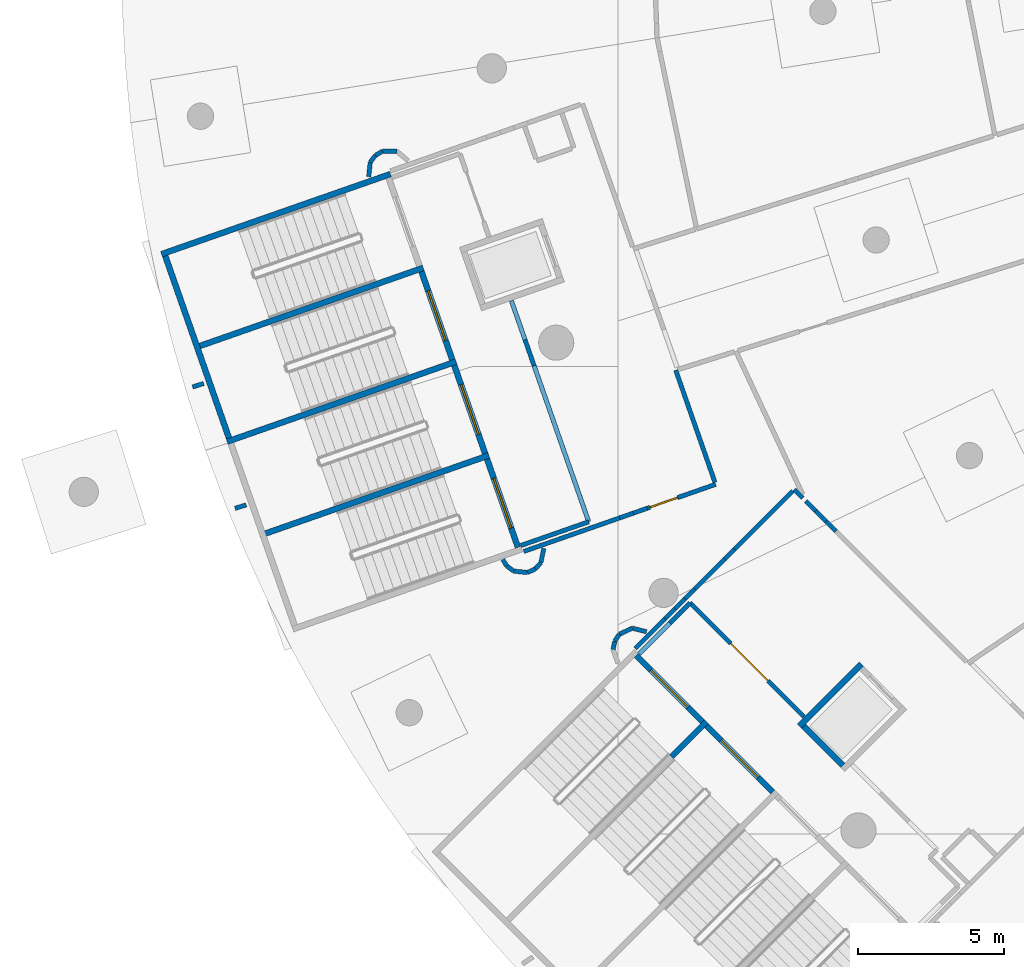
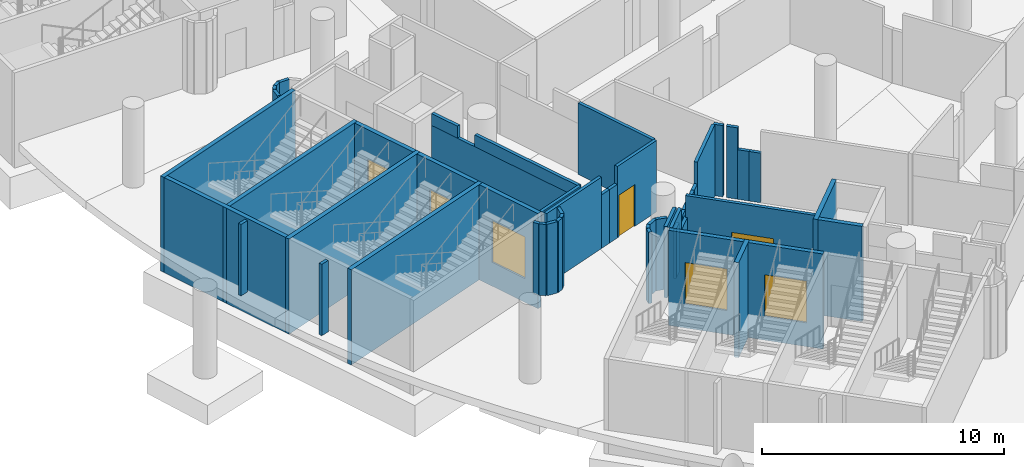
# One storey, part 36 of 142: 52 walls, 7 doors, 7 openings.
"""IFC4 building model written with IfcOpenShell, lengths in metres."""

import ifcopenshell
import ifcopenshell.guid

model = None  # the IFC model being written
_history = None  # IfcOwnerHistory: only IFC2X3 demands one
_inside = {}  # id of a spatial element -> (the spatial element, [elements in it])
_under = {}  # id of a project, library or spatial element -> (it, [spatial elements below it])
_declared = {}  # id of a project -> (the project, [libraries it declares])
_typed = {}  # id of a type object -> (the type object, [elements of that type])
_made_of = {}  # id of a material, layer set ... -> (it, [elements and type objects made of it])


def new_model(schema):
    """Start an empty IFC model of exactly this schema.

    Asked for "IFC4X3", IfcOpenShell would pick the latest addendum, in which some entities
    have other attributes; the version numbers below select the first issue.
    IFC2X3 requires an IfcOwnerHistory on every rooted entity: one is made here for all.
    """
    global model, _history
    if schema == "IFC4X3":
        model = ifcopenshell.file(schema_version=(4, 3, 0, 0))
    else:
        model = ifcopenshell.file(schema=schema)
    _inside.clear()
    _under.clear()
    _declared.clear()
    _typed.clear()
    _made_of.clear()
    _history = None
    if model.schema == "IFC2X3":
        org = make("IfcOrganization", Name="unknown")
        user = make(
            "IfcPersonAndOrganization",
            ThePerson=make("IfcPerson", FamilyName="unknown"),
            TheOrganization=org,
        )
        app = make(
            "IfcApplication",
            ApplicationDeveloper=org,
            Version="unknown",
            ApplicationFullName="unknown",
            ApplicationIdentifier="unknown",
        )
        _history = make(
            "IfcOwnerHistory",
            OwningUser=user,
            OwningApplication=app,
            ChangeAction="ADDED",
            CreationDate=0,
        )
    return model


def make(cls, **values):
    """One entity of the class cls with the attributes given. An attribute that is None is left unset."""
    return model.create_entity(
        cls, **{name: value for name, value in values.items() if value is not None}
    )


def rooted(cls, **values):
    """An entity with a GlobalId (a new one), such as an element, a storey or a relation."""
    return make(cls, GlobalId=ifcopenshell.guid.new(), OwnerHistory=_history, **values)


def si_unit(unit_type, name, prefix=None):
    """IfcSIUnit, for example si_unit("LENGTHUNIT", "METRE", prefix="MILLI")."""
    return make("IfcSIUnit", UnitType=unit_type, Prefix=prefix, Name=name)


def assignment(units):
    """IfcUnitAssignment: the units of a project."""
    return None if units is None else make("IfcUnitAssignment", Units=units)


def point(xyz):
    """IfcCartesianPoint."""
    return None if xyz is None else make("IfcCartesianPoint", Coordinates=xyz)


def direction(xyz):
    """IfcDirection."""
    return None if xyz is None else make("IfcDirection", DirectionRatios=xyz)


def frame(location, z_axis=None, x_axis=None):
    """IfcAxis2Placement3D, a coordinate frame: its origin and axes. An axis left out is left unset."""
    return make(
        "IfcAxis2Placement3D",
        Location=point(location),
        Axis=direction(z_axis),
        RefDirection=direction(x_axis),
    )


def frame_2d(location, x_axis=None):
    """IfcAxis2Placement2D, a coordinate frame in the plane: its origin and x axis."""
    return make(
        "IfcAxis2Placement2D", Location=point(location), RefDirection=direction(x_axis)
    )


def origin():
    """The frame at (0, 0, 0) with its axes left unset."""
    return frame((0.0, 0.0, 0.0))


def place(relative_to, where):
    """IfcLocalPlacement: puts the frame where relative to a parent placement (None: the world)."""
    return make(
        "IfcLocalPlacement", PlacementRelTo=relative_to, RelativePlacement=where
    )


def context(
    kind, dimensions, precision=None, world=None, true_north=None, identifier=None
):
    """IfcGeometricRepresentationContext, for example the 3D "Model" context."""
    return make(
        "IfcGeometricRepresentationContext",
        ContextIdentifier=identifier,
        ContextType=kind,
        CoordinateSpaceDimension=dimensions,
        Precision=precision,
        WorldCoordinateSystem=world,
        TrueNorth=true_north,
    )


def subcontext(parent, identifier, kind, view, scale=None):
    """IfcGeometricRepresentationSubContext, for example "Body" below "Model"."""
    return make(
        "IfcGeometricRepresentationSubContext",
        ContextIdentifier=identifier,
        ContextType=kind,
        ParentContext=parent,
        TargetScale=scale,
        TargetView=view,
    )


def project(units=None, contexts=None):
    """IfcProject with its units and contexts."""
    return rooted(
        "IfcProject",
        Name="project",
        RepresentationContexts=contexts,
        UnitsInContext=assignment(units),
    )


def spatial(cls, under=None, at=None, **own):
    """A site, building, storey or space (cls), placed at a placement, below another one or the project."""
    s = rooted(cls, ObjectPlacement=at, **own)
    if under is not None:
        _under.setdefault(under.id(), (under, []))[1].append(s)
    return s


def profile(cls, at=None, kind="AREA", **sizes):
    """A parametric profile (cls). Its sizes go by their IFC names, for example OverallWidth=200.0."""
    return make(cls, ProfileType=kind, Position=at, **sizes)


def rectangle(**sizes):
    """IfcRectangleProfileDef."""
    return profile("IfcRectangleProfileDef", **sizes)


def extrude(swept, where, along, depth):
    """IfcExtrudedAreaSolid: the profile swept, set in the frame where, extruded along a direction by depth."""
    return make(
        "IfcExtrudedAreaSolid",
        SweptArea=swept,
        Position=where,
        ExtrudedDirection=direction(along),
        Depth=depth,
    )


def shape(context_of_items, identifier, shape_type, items):
    """IfcShapeRepresentation: the items that make up one representation, for example the "Body"."""
    return make(
        "IfcShapeRepresentation",
        ContextOfItems=context_of_items,
        RepresentationIdentifier=identifier,
        RepresentationType=shape_type,
        Items=items,
    )


def material(Name=None, Category=None):
    """IfcMaterial."""
    return make("IfcMaterial", Name=Name, Category=Category)


def layer(
    of_material, thickness, ventilated=None, Name=None, Category=None, Priority=None
):
    """IfcMaterialLayer: one layer of a wall or slab, of a material (None: an air gap)."""
    return make(
        "IfcMaterialLayer",
        Material=of_material,
        LayerThickness=thickness,
        IsVentilated=ventilated,
        Name=Name,
        Category=Category,
        Priority=Priority,
    )


def layer_set(layers, Name=None):
    """IfcMaterialLayerSet."""
    return make("IfcMaterialLayerSet", MaterialLayers=layers, LayerSetName=Name)


def made_of(thing, what):
    """Note that an element or type object is made of a material, layer set ...; save() writes the relation."""
    if what is not None:
        _made_of.setdefault(what.id(), (what, []))[1].append(thing)
    return thing


def type_object(cls, material=None, **own):
    """A type object (cls), such as IfcWallType, which elements share."""
    return made_of(rooted(cls, **own), material)


def element(
    cls,
    number,
    at=None,
    inside=None,
    cuts=None,
    type_object=None,
    material=None,
    context=None,
    identifier="Body",
    shape_type=None,
    held_by="IfcProductDefinitionShape",
    body=None,
    shapes=None,
    **own,
):
    """One element of the class cls, such as IfcWall. Its Tag is "e" and its number.

    at: its placement. inside: the storey or other place that contains it. cuts: it is an
    opening in that element (IfcRelVoidsElement). A single representation is given by context,
    identifier, shape_type and body (its items); several are given by shapes. held_by: the class
    of the entity that holds the representations. save() writes the other relations.
    """
    e = rooted(cls, Tag="e%d" % number, ObjectPlacement=at, **own)
    if body is not None:
        shapes = [shape(context, identifier, shape_type, body)]
    if shapes is not None:
        e.Representation = make(held_by, Representations=shapes)
    if inside is not None:
        _inside.setdefault(inside.id(), (inside, []))[1].append(e)
    if cuts is not None:
        rooted(
            "IfcRelVoidsElement", RelatingBuildingElement=cuts, RelatedOpeningElement=e
        )
    if type_object is not None:
        _typed.setdefault(type_object.id(), (type_object, []))[1].append(e)
    return made_of(e, material)


def fill(opening, filler):
    """IfcRelFillsElement: the door or window that sits in an opening."""
    return rooted(
        "IfcRelFillsElement",
        RelatingOpeningElement=opening,
        RelatedBuildingElement=filler,
    )


def aggregate(whole, parts):
    """IfcRelAggregates: a whole, such as a stair, and the parts it consists of."""
    return rooted("IfcRelAggregates", RelatingObject=whole, RelatedObjects=parts)


def save(model, path):
    """Write the relations noted so far, then the file.

    IfcRelAggregates (storeys below a building ...), IfcRelContainedInSpatialStructure (elements
    in a storey), IfcRelDefinesByType, IfcRelAssociatesMaterial and IfcRelDeclares: one each for
    every whole, place, type object, material and project.
    """
    for whole, parts in _under.values():
        aggregate(whole, parts)
    for where, things in _inside.values():
        rooted(
            "IfcRelContainedInSpatialStructure",
            RelatedElements=things,
            RelatingStructure=where,
        )
    for kind, things in _typed.values():
        rooted("IfcRelDefinesByType", RelatedObjects=things, RelatingType=kind)
    for what, things in _made_of.values():
        rooted("IfcRelAssociatesMaterial", RelatedObjects=things, RelatingMaterial=what)
    for by, libraries in _declared.values():
        rooted("IfcRelDeclares", RelatingContext=by, RelatedDefinitions=libraries)
    model.write(path)


model = new_model("IFC4")

# Units and contexts
model_context = context("Model", 3, precision=1e-05, world=origin(), true_north=direction((0.0, 1.0)))
body_context = subcontext(model_context, "Body", "Model", "MODEL_VIEW")
ifc_project = project(units=[si_unit("LENGTHUNIT", "METRE"), si_unit("AREAUNIT", "SQUARE_METRE"), si_unit("VOLUMEUNIT", "CUBIC_METRE"), si_unit("PLANEANGLEUNIT", "RADIAN"), si_unit("MASSUNIT", "GRAM", prefix="KILO")], contexts=[model_context])

# Site, building, storey
site_placement = place(None, origin())
site = spatial("IfcSite", under=ifc_project, at=site_placement, CompositionType="ELEMENT")
building_placement = place(site_placement, origin())
building = spatial("IfcBuilding", under=site, at=building_placement, Name="Meseta Stadium", CompositionType="ELEMENT")
storey_placement = place(building_placement, frame((0.0, 0.0, -4.0)))
storey = spatial("IfcBuildingStorey", under=building, at=storey_placement, Name="B1", CompositionType="ELEMENT", Elevation=-4.0)

# Walls
ifc_material_1 = material(Name="Concrete C40/50", Category="concrete")
ifc_layer_1 = layer(ifc_material_1, 0.199951171875)
ifc_layer_set_1 = layer_set([ifc_layer_1], Name="Core divider wall 200")
wall_type_1 = type_object("IfcWallType", Name="Core divider wall 200", PredefinedType="SHEAR", material=ifc_layer_set_1)
for number, where, z_axis, x_axis, name in (
    (1, (-94.505859375, -63.370849609375, -1.199951171875), (0.0, 0.0, 1.0), (0.943878073457, 0.330294084791, 0.0), "Core 20 B1 stair A divider wall"),
    (2, (-92.260009765625, -69.789306640625, -1.199951171875), (0.0, 0.0, 1.0), (0.943878073457, 0.330294084791, 0.0), "Core 20 B1 stair B divider wall"),
):
    element("IfcWall", number, at=place(storey_placement, frame(where, z_axis=z_axis, x_axis=x_axis)), inside=storey, type_object=wall_type_1, Name=name, PredefinedType="SHEAR", context=body_context, shape_type="SweptSolid", body=[
        extrude(rectangle(XDim=8.300048828125, YDim=0.199951171875, at=frame_2d((4.14990234375, 0.0))), origin(), (0.0, 0.0, 1.0), 4.800048828125),
    ])
wall_1_placement = place(storey_placement, frame((-78.17333984375, -77.364990234375, -1.199951171875), z_axis=(0.0, 0.0, 1.0), x_axis=(0.707178586901, 0.707034968179, 0.0)))
element("IfcWall", 3, at=wall_1_placement, inside=storey, type_object=wall_type_1, Name="Core 21 B1 stair A divider wall", PredefinedType="SHEAR", context=body_context, shape_type="SweptSolid", body=[
    extrude(rectangle(XDim=1.699951171875, YDim=0.199951171875, at=frame_2d((0.85009765625, 0.0))), origin(), (0.0, 0.0, 1.0), 4.800048828125),
])
ifc_material_2 = material(Name="Concrete C40/50", Category="concrete")
ifc_layer_2 = layer(ifc_material_2, 0.199951171875)
ifc_layer_set_2 = layer_set([ifc_layer_2], Name="Core shaft wall 200")
wall_type_2 = type_object("IfcWallType", Name="Core shaft wall 200", PredefinedType="SHEAR", material=ifc_layer_set_2)
for number, where, z_axis, x_axis, name in (
    (4, (-95.62890625, -60.16162109375, -1.199951171875), (0.0, 0.0, 1.0), (0.943887243331, 0.330267878966, 0.0), "Core 20 B1 stair wall A-side"),
    (5, (-93.3828125, -66.580078125, -1.199951171875), (0.0, 0.0, 1.0), (0.943878073457, 0.330294084791, 0.0), "Core 20 B1 stair wall shared"),
):
    element("IfcWall", number, at=place(storey_placement, frame(where, z_axis=z_axis, x_axis=x_axis)), inside=storey, type_object=wall_type_2, Name=name, PredefinedType="SHEAR", context=body_context, shape_type="SweptSolid", body=[
        extrude(rectangle(XDim=8.300048828125, YDim=0.199951171875, at=frame_2d((4.14990234375, 0.0))), origin(), (0.0, 0.0, 1.0), 4.800048828125),
    ])
wall_2_placement = place(storey_placement, frame((-95.50146484375, -60.222900390625, -1.199951171875), z_axis=(0.0, 0.0, 1.0), x_axis=(0.330286164688, -0.943880844925, 0.0)))
element("IfcWall", 6, at=wall_2_placement, inside=storey, type_object=wall_type_2, Name="Core 20 B1 stair A outer end wall", PredefinedType="SHEAR", context=body_context, shape_type="SweptSolid", body=[
    extrude(rectangle(XDim=6.60009765625, YDim=0.199951171875, at=frame_2d((3.300048828125, 0.0))), origin(), (0.0, 0.0, 1.0), 4.800048828125),
])

# Wall, opening, door
wall_3_placement = place(storey_placement, frame((-86.73291015625, -60.7568359375, -1.199951171875), z_axis=(0.0, 0.0, 1.0), x_axis=(0.330268863922, -0.943886898693, 0.0)))
wall_3 = element("IfcWall", 7, at=wall_3_placement, inside=storey, type_object=wall_type_2, Name="Core 20 B1 stair A2 inner end wall", PredefinedType="SHEAR", context=body_context, shape_type="SweptSolid", body=[
    extrude(rectangle(XDim=3.2001953125, YDim=0.199951171875, at=frame_2d((1.60009765625, 0.0))), origin(), (0.0, 0.0, 1.0), 4.800048828125),
])
opening_1_placement = place(wall_3_placement, frame((0.699951171875, 0.0, 1.199951171875)))
opening_1 = element("IfcOpeningElement", 8, at=opening_1_placement, cuts=wall_3, Name="Opening D270", PredefinedType="OPENING", context=body_context, shape_type="SweptSolid", body=[
    extrude(rectangle(XDim=1.800048828125, YDim=2.10009765625, at=frame_2d((0.89990234375, 1.050048828125))), frame((0.0, 0.10986328125, 0.0), z_axis=(0.0, -1.0, 0.0), x_axis=(1.0, 0.0, 0.0)), (0.0, 0.0, 1.0), 0.219970703125),
])
ifc_material_3 = material(Name="Steel", Category="steel")
door_type_1 = type_object("IfcDoorType", Name="Stair door 1800x2100", OperationType="DOUBLE_DOOR_SINGLE_SWING", PredefinedType="DOOR", material=ifc_material_3)
door_1_placement = place(opening_1_placement, origin())
door_1 = element("IfcDoor", 9, at=door_1_placement, inside=storey, type_object=door_type_1, Name="Stair A2 door 20 B1", OperationType="DOUBLE_DOOR_SINGLE_SWING", OverallHeight=2.10009765625, OverallWidth=1.800048828125, PredefinedType="DOOR", context=body_context, shape_type="SweptSolid", body=[
    extrude(rectangle(XDim=1.800048828125, YDim=2.10009765625, at=frame_2d((0.89990234375, 1.050048828125))), frame((0.0, 0.02490234375, 0.0), z_axis=(0.0, -1.0, 0.0), x_axis=(1.0, 0.0, 0.0)), (0.0, 0.0, 1.0), 0.050048828125),
])
fill(opening_1, door_1)

wall_4_placement = place(storey_placement, frame((-85.610107421875, -63.966064453125, -1.199951171875), z_axis=(0.0, 0.0, 1.0), x_axis=(0.330268863922, -0.943886898693, 0.0)))
wall_4 = element("IfcWall", 10, at=wall_4_placement, inside=storey, type_object=wall_type_2, Name="Core 20 B1 stair B1 inner end wall", PredefinedType="SHEAR", context=body_context, shape_type="SweptSolid", body=[
    extrude(rectangle(XDim=3.2001953125, YDim=0.199951171875, at=frame_2d((1.60009765625, 0.0))), origin(), (0.0, 0.0, 1.0), 4.800048828125),
])
opening_2_placement = place(wall_4_placement, frame((0.699951171875, 0.0, 1.199951171875)))
opening_2 = element("IfcOpeningElement", 11, at=opening_2_placement, cuts=wall_4, Name="Opening D271", PredefinedType="OPENING", context=body_context, shape_type="SweptSolid", body=[
    extrude(rectangle(XDim=1.800048828125, YDim=2.10009765625, at=frame_2d((0.89990234375, 1.050048828125))), frame((0.0, 0.10986328125, 0.0), z_axis=(0.0, -1.0, 0.0), x_axis=(1.0, 0.0, 0.0)), (0.0, 0.0, 1.0), 0.219970703125),
])
door_2_placement = place(opening_2_placement, origin())
door_2 = element("IfcDoor", 12, at=door_2_placement, inside=storey, type_object=door_type_1, Name="Stair B1 door 20 B1", OperationType="DOUBLE_DOOR_SINGLE_SWING", OverallHeight=2.10009765625, OverallWidth=1.800048828125, PredefinedType="DOOR", context=body_context, shape_type="SweptSolid", body=[
    extrude(rectangle(XDim=1.800048828125, YDim=2.10009765625, at=frame_2d((0.89990234375, 1.050048828125))), frame((0.0, 0.02490234375, 0.0), z_axis=(0.0, -1.0, 0.0), x_axis=(1.0, 0.0, 0.0)), (0.0, 0.0, 1.0), 0.050048828125),
])
fill(opening_2, door_2)

wall_5_placement = place(storey_placement, frame((-84.487060546875, -67.17529296875, -1.199951171875), z_axis=(0.0, 0.0, 1.0), x_axis=(0.330268863922, -0.943886898693, 0.0)))
wall_5 = element("IfcWall", 13, at=wall_5_placement, inside=storey, type_object=wall_type_2, Name="Core 20 B1 stair B2 inner end wall", PredefinedType="SHEAR", context=body_context, shape_type="SweptSolid", body=[
    extrude(rectangle(XDim=3.2001953125, YDim=0.199951171875, at=frame_2d((1.60009765625, 0.0))), origin(), (0.0, 0.0, 1.0), 4.800048828125),
])
opening_3_placement = place(wall_5_placement, frame((0.699951171875, 0.0, 1.199951171875)))
opening_3 = element("IfcOpeningElement", 14, at=opening_3_placement, cuts=wall_5, Name="Opening D272", PredefinedType="OPENING", context=body_context, shape_type="SweptSolid", body=[
    extrude(rectangle(XDim=1.800048828125, YDim=2.10009765625, at=frame_2d((0.89990234375, 1.050048828125))), frame((0.0, 0.10986328125, 0.0), z_axis=(0.0, -1.0, 0.0), x_axis=(1.0, 0.0, 0.0)), (0.0, 0.0, 1.0), 0.219970703125),
])
door_3_placement = place(opening_3_placement, origin())
door_3 = element("IfcDoor", 15, at=door_3_placement, inside=storey, type_object=door_type_1, Name="Stair B2 door 20 B1", OperationType="DOUBLE_DOOR_SINGLE_SWING", OverallHeight=2.10009765625, OverallWidth=1.800048828125, PredefinedType="DOOR", context=body_context, shape_type="SweptSolid", body=[
    extrude(rectangle(XDim=1.800048828125, YDim=2.10009765625, at=frame_2d((0.89990234375, 1.050048828125))), frame((0.0, 0.02490234375, 0.0), z_axis=(0.0, -1.0, 0.0), x_axis=(1.0, 0.0, 0.0)), (0.0, 0.0, 1.0), 0.050048828125),
])
fill(opening_3, door_3)

wall_6_placement = place(storey_placement, frame((-79.37548828125, -73.900146484375, -1.199951171875), z_axis=(0.0, 0.0, 1.0), x_axis=(0.707068634461, -0.707144925854, 0.0)))
wall_6 = element("IfcWall", 16, at=wall_6_placement, inside=storey, type_object=wall_type_2, Name="Core 21 B1 stair A1 inner end wall", PredefinedType="SHEAR", context=body_context, shape_type="SweptSolid", body=[
    extrude(rectangle(XDim=3.2001953125, YDim=0.199951171875, at=frame_2d((1.60009765625, 0.0))), origin(), (0.0, 0.0, 1.0), 4.800048828125),
])
opening_4_placement = place(wall_6_placement, frame((0.699951171875, 0.0, 1.199951171875)))
opening_4 = element("IfcOpeningElement", 17, at=opening_4_placement, cuts=wall_6, Name="Opening D281", PredefinedType="OPENING", context=body_context, shape_type="SweptSolid", body=[
    extrude(rectangle(XDim=1.800048828125, YDim=2.10009765625, at=frame_2d((0.89990234375, 1.050048828125))), frame((0.0, 0.10986328125, 0.0), z_axis=(0.0, -1.0, 0.0), x_axis=(1.0, 0.0, 0.0)), (0.0, 0.0, 1.0), 0.219970703125),
])
door_4_placement = place(opening_4_placement, origin())
door_4 = element("IfcDoor", 18, at=door_4_placement, inside=storey, type_object=door_type_1, Name="Stair A1 door 21 B1", OperationType="DOUBLE_DOOR_SINGLE_SWING", OverallHeight=2.10009765625, OverallWidth=1.800048828125, PredefinedType="DOOR", context=body_context, shape_type="SweptSolid", body=[
    extrude(rectangle(XDim=1.800048828125, YDim=2.10009765625, at=frame_2d((0.89990234375, 1.050048828125))), frame((0.0, 0.02490234375, 0.0), z_axis=(0.0, -1.0, 0.0), x_axis=(1.0, 0.0, 0.0)), (0.0, 0.0, 1.0), 0.050048828125),
])
fill(opening_4, door_4)

wall_7_placement = place(storey_placement, frame((-76.97119140625, -76.304443359375, -1.199951171875), z_axis=(0.0, 0.0, 1.0), x_axis=(0.707106781187, -0.707106781187, 0.0)))
wall_7 = element("IfcWall", 19, at=wall_7_placement, inside=storey, type_object=wall_type_2, Name="Core 21 B1 stair A2 inner end wall", PredefinedType="SHEAR", context=body_context, shape_type="SweptSolid", body=[
    extrude(rectangle(XDim=3.199951171875, YDim=0.199951171875, at=frame_2d((1.60009765625, 0.0))), origin(), (0.0, 0.0, 1.0), 4.800048828125),
])
opening_5_placement = place(wall_7_placement, frame((0.699951171875, 0.0, 1.199951171875)))
opening_5 = element("IfcOpeningElement", 20, at=opening_5_placement, cuts=wall_7, Name="Opening D282", PredefinedType="OPENING", context=body_context, shape_type="SweptSolid", body=[
    extrude(rectangle(XDim=1.800048828125, YDim=2.10009765625, at=frame_2d((0.89990234375, 1.050048828125))), frame((0.0, 0.10986328125, 0.0), z_axis=(0.0, -1.0, 0.0), x_axis=(1.0, 0.0, 0.0)), (0.0, 0.0, 1.0), 0.219970703125),
])
door_5_placement = place(opening_5_placement, origin())
door_5 = element("IfcDoor", 21, at=door_5_placement, inside=storey, type_object=door_type_1, Name="Stair A2 door 21 B1", OperationType="DOUBLE_DOOR_SINGLE_SWING", OverallHeight=2.10009765625, OverallWidth=1.800048828125, PredefinedType="DOOR", context=body_context, shape_type="SweptSolid", body=[
    extrude(rectangle(XDim=1.800048828125, YDim=2.10009765625, at=frame_2d((0.89990234375, 1.050048828125))), frame((0.0, 0.02490234375, 0.0), z_axis=(0.0, -1.0, 0.0), x_axis=(1.0, 0.0, 0.0)), (0.0, 0.0, 1.0), 0.050048828125),
])
fill(opening_5, door_5)

# Walls
wall_8_placement = place(storey_placement, frame((-73.796875, -76.311767578125, -1.199951171875), z_axis=(0.0, 0.0, 1.0), x_axis=(0.707106781187, 0.707106781187, 0.0)))
element("IfcWall", 22, at=wall_8_placement, inside=storey, type_object=wall_type_2, Name="Core 21 B1 lift shaft wall left", PredefinedType="SHEAR", context=body_context, shape_type="SweptSolid", body=[
    extrude(rectangle(XDim=3.0, YDim=0.199951171875, at=frame_2d((1.5, 0.0))), origin(), (0.0, 0.0, 1.0), 4.800048828125),
])
wall_9_placement = place(storey_placement, frame((-73.655517578125, -76.311767578125, -1.199951171875), z_axis=(0.0, 0.0, 1.0), x_axis=(0.707106781187, -0.707106781187, 0.0)))
element("IfcWall", 23, at=wall_9_placement, inside=storey, type_object=wall_type_2, Name="Core 21 B1 lift shaft back wall", PredefinedType="SHEAR", context=body_context, shape_type="SweptSolid", body=[
    extrude(rectangle(XDim=1.900390625, YDim=0.199951171875, at=frame_2d((0.9501953125, 0.0))), origin(), (0.0, 0.0, 1.0), 4.800048828125),
])
ifc_material_4 = material(Name="Masonry blockwork", Category="masonry")
ifc_layer_3 = layer(ifc_material_4, 0.14990234375)
ifc_layer_set_3 = layer_set([ifc_layer_3], Name="Partition 150")
wall_type_3 = type_object("IfcWallType", Name="Partition 150", PredefinedType="PARTITIONING", material=ifc_layer_set_3)
wall_10_placement = place(storey_placement, frame((-94.185791015625, -64.587890625, 0.0), z_axis=(0.0, 0.0, 1.0), x_axis=(-0.954208008675, -0.299143905471, 0.0)))
element("IfcWall", 24, at=wall_10_placement, inside=storey, type_object=wall_type_3, Name="Partition B1 B1-cell18-3-0", PredefinedType="PARTITIONING", context=body_context, shape_type="SweptSolid", body=[
    extrude(rectangle(XDim=0.39990234375, YDim=0.14990234375, at=frame_2d((0.199951171875, 0.0))), origin(), (0.0, 0.0, 1.0), 3.60009765625),
])
wall_11_placement = place(storey_placement, frame((-72.539306640625, -69.64990234375, 0.0), z_axis=(0.0, 0.0, 1.0), x_axis=(-0.706858193837, 0.707355281174, 0.0)))
element("IfcWall", 25, at=wall_11_placement, inside=storey, type_object=wall_type_3, Name="Partition B1 B1-cell19-2-0", PredefinedType="PARTITIONING", context=body_context, shape_type="SweptSolid", body=[
    extrude(rectangle(XDim=0.4912109375, YDim=0.14990234375, at=frame_2d((0.24560546875, 0.0))), origin(), (0.0, 0.0, 1.0), 2.5),
])
wall_12_placement = place(storey_placement, frame((-72.886474609375, -69.302490234375, 0.0), z_axis=(0.0, 0.0, 1.0), x_axis=(-0.707106781187, 0.707106781187, 0.0)))
element("IfcWall", 26, at=wall_12_placement, inside=storey, type_object=wall_type_3, Name="Partition B1 B1-cell19-2-0", PredefinedType="PARTITIONING", context=body_context, shape_type="SweptSolid", body=[
    extrude(rectangle(XDim=0.49072265625, YDim=0.14990234375, at=frame_2d((0.245361328125, 0.0))), origin(), (0.0, 0.0, 1.0), 2.5),
])
wall_13_placement = place(storey_placement, frame((-73.2333984375, -68.95556640625, 0.0), z_axis=(0.0, 0.0, 1.0), x_axis=(-0.707355281174, 0.706858193837, 0.0)))
element("IfcWall", 27, at=wall_13_placement, inside=storey, type_object=wall_type_3, Name="Partition B1 B1-cell19-2-0", PredefinedType="PARTITIONING", context=body_context, shape_type="SweptSolid", body=[
    extrude(rectangle(XDim=0.4912109375, YDim=0.14990234375, at=frame_2d((0.24560546875, 0.0))), origin(), (0.0, 0.0, 1.0), 3.60009765625),
])
wall_14_placement = place(storey_placement, frame((-93.110595703125, -68.862060546875, 0.0), z_axis=(0.0, 0.0, 1.0), x_axis=(0.954249797549, 0.29901057486, 0.0)))
element("IfcWall", 28, at=wall_14_placement, inside=storey, type_object=wall_type_3, Name="Partition B1 B1-cell19-3-0", PredefinedType="PARTITIONING", context=body_context, shape_type="SweptSolid", body=[
    extrude(rectangle(XDim=0.396728515625, YDim=0.14990234375, at=frame_2d((0.1982421875, 0.0))), origin(), (0.0, 0.0, 1.0), 3.60009765625),
])
wall_15_placement = place(storey_placement, frame((-83.23193359375, -70.33837890625, 0.0), z_axis=(0.0, 0.0, 1.0), x_axis=(0.943878042103, 0.330294174389, 0.0)))
element("IfcWall", 29, at=wall_15_placement, inside=storey, type_object=wall_type_3, Name="Partition B1 B1-cell19-3-0", PredefinedType="PARTITIONING", context=body_context, shape_type="SweptSolid", body=[
    extrude(rectangle(XDim=3.47998046875, YDim=0.14990234375, at=frame_2d((1.739990234375, 0.0))), origin(), (0.0, 0.0, 1.0), 3.60009765625),
])
for number, where, z_axis, x_axis, name in (
    (30, (-79.947265625, -69.18896484375, 0.0), (0.0, 0.0, 1.0), (0.943812413138, 0.330481661832, 0.0), "Partition B1 B1-cell19-3-0"),
    (31, (-79.47802734375, -69.024658203125, 0.0), (0.0, 0.0, 1.0), (0.943965503635, 0.330044130303, 0.0), "Partition B1 B1-cell19-3-0"),
):
    element("IfcWall", number, at=place(storey_placement, frame(where, z_axis=z_axis, x_axis=x_axis)), inside=storey, type_object=wall_type_3, Name=name, PredefinedType="PARTITIONING", context=body_context, shape_type="SweptSolid", body=[
        extrude(rectangle(XDim=0.4970703125, YDim=0.14990234375, at=frame_2d((0.24853515625, 0.0))), origin(), (0.0, 0.0, 1.0), 2.699951171875),
    ])

# Wall, opening, door
wall_16_placement = place(storey_placement, frame((-79.0087890625, -68.860595703125, 0.0), z_axis=(0.0, 0.0, 1.0), x_axis=(0.943873667714, 0.330306674768, 0.0)))
wall_16 = element("IfcWall", 32, at=wall_16_placement, inside=storey, type_object=wall_type_3, Name="Partition B1 B1-cell19-3-0", PredefinedType="PARTITIONING", context=body_context, shape_type="SweptSolid", body=[
    extrude(rectangle(XDim=2.485595703125, YDim=0.14990234375, at=frame_2d((1.24267578125, 0.0))), origin(), (0.0, 0.0, 1.0), 3.60009765625),
])
opening_6_placement = place(wall_16_placement, frame((0.10009765625, 0.0, 0.0)))
opening_6 = element("IfcOpeningElement", 33, at=opening_6_placement, cuts=wall_16, Name="Opening D490", PredefinedType="OPENING", context=body_context, shape_type="SweptSolid", body=[
    extrude(rectangle(XDim=1.0, YDim=2.10009765625, at=frame_2d((0.5, 1.050048828125))), frame((0.0, 0.0849609375, 0.0), z_axis=(0.0, -1.0, 0.0), x_axis=(1.0, 0.0, 0.0)), (0.0, 0.0, 1.0), 0.169921875),
])
ifc_material_5 = material(Name="Steel", Category="steel")
door_type_2 = type_object("IfcDoorType", Name="Fire door 1000x2100 EI2 60", OperationType="NOTDEFINED", PredefinedType="DOOR", material=ifc_material_5)
door_6_placement = place(opening_6_placement, origin())
door_6 = element("IfcDoor", 34, at=door_6_placement, inside=storey, type_object=door_type_2, Name="Door D490", OperationType="SINGLE_SWING_LEFT", OverallHeight=2.10009765625, OverallWidth=1.0, PredefinedType="DOOR", context=body_context, shape_type="SweptSolid", body=[
    extrude(rectangle(XDim=1.0, YDim=2.10009765625, at=frame_2d((0.5, 1.050048828125))), frame((0.0, 0.02490234375, 0.0), z_axis=(0.0, -1.0, 0.0), x_axis=(1.0, 0.0, 0.0)), (0.0, 0.0, 1.0), 0.050048828125),
])
fill(opening_6, door_6)

# Walls
wall_17_placement = place(storey_placement, frame((-76.6875, -67.96875, 0.0), z_axis=(0.0, 0.0, 1.0), x_axis=(-0.330235334568, 0.943898630046, 0.0)))
element("IfcWall", 35, at=wall_17_placement, inside=storey, type_object=wall_type_3, Name="Partition B1 B1-cell19-3-0", PredefinedType="PARTITIONING", context=body_context, shape_type="SweptSolid", body=[
    extrude(rectangle(XDim=4.063232421875, YDim=0.14990234375, at=frame_2d((2.03173828125, 0.0))), origin(), (0.0, 0.0, 1.0), 3.60009765625),
])
wall_18_placement = place(storey_placement, frame((-73.68408203125, -68.5048828125, 0.0), z_axis=(0.0, 0.0, 1.0), x_axis=(-0.707106781187, 0.707106781187, 0.0)))
element("IfcWall", 36, at=wall_18_placement, inside=storey, type_object=wall_type_3, Name="Partition B1 B1-cell19-3-0", PredefinedType="PARTITIONING", context=body_context, shape_type="SweptSolid", body=[
    extrude(rectangle(XDim=0.4091796875, YDim=0.14990234375, at=frame_2d((0.20458984375, 0.0))), origin(), (0.0, 0.0, 1.0), 3.60009765625),
])
wall_19_placement = place(storey_placement, frame((-74.026611328125, -68.2685546875, 0.0), z_axis=(0.0, 0.0, 1.0), x_axis=(-0.707106781187, -0.707106781187, 0.0)))
element("IfcWall", 37, at=wall_19_placement, inside=storey, type_object=wall_type_3, Name="Partition B1 B1-cell19-3-0", PredefinedType="PARTITIONING", context=body_context, shape_type="SweptSolid", body=[
    extrude(rectangle(XDim=2.812255859375, YDim=0.14990234375, at=frame_2d((1.40625, 0.0))), origin(), (0.0, 0.0, 1.0), 3.60009765625),
])
wall_20_placement = place(storey_placement, frame((-76.01513671875, -70.257080078125, 0.0), z_axis=(0.0, 0.0, 1.0), x_axis=(-0.707106781187, -0.707106781187, 0.0)))
element("IfcWall", 38, at=wall_20_placement, inside=storey, type_object=wall_type_3, Name="Partition B1 B1-cell19-3-0", PredefinedType="PARTITIONING", context=body_context, shape_type="SweptSolid", body=[
    extrude(rectangle(XDim=0.481201171875, YDim=0.14990234375, at=frame_2d((0.24072265625, 0.0))), origin(), (0.0, 0.0, 1.0), 2.5),
])
wall_21_placement = place(storey_placement, frame((-76.35546875, -70.597412109375, 0.0), z_axis=(0.0, 0.0, 1.0), x_axis=(-0.707106781187, -0.707106781187, 0.0)))
element("IfcWall", 39, at=wall_21_placement, inside=storey, type_object=wall_type_3, Name="Partition B1 B1-cell19-3-0", PredefinedType="PARTITIONING", context=body_context, shape_type="SweptSolid", body=[
    extrude(rectangle(XDim=1.443603515625, YDim=0.14990234375, at=frame_2d((0.7216796875, 0.0))), origin(), (0.0, 0.0, 1.0), 2.5),
])
for number, where, z_axis, x_axis, name in (
    (40, (-77.376220703125, -71.6181640625, 0.0), (0.0, 0.0, 1.0), (-0.707106781187, -0.707106781187, 0.0), "Partition B1 B1-cell19-3-0"),
    (41, (-77.716552734375, -71.95849609375, 0.0), (0.0, 0.0, 1.0), (-0.707360451756, -0.706853019581, 0.0), "Partition B1 B1-cell19-3-0"),
    (42, (-78.056884765625, -72.298583984375, 0.0), (0.0, 0.0, 1.0), (-0.706853019581, -0.707360451756, 0.0), "Partition B1 B1-cell19-3-0"),
):
    element("IfcWall", number, at=place(storey_placement, frame(where, z_axis=z_axis, x_axis=x_axis)), inside=storey, type_object=wall_type_3, Name=name, PredefinedType="PARTITIONING", context=body_context, shape_type="SweptSolid", body=[
        extrude(rectangle(XDim=0.481201171875, YDim=0.14990234375, at=frame_2d((0.24072265625, 0.0))), origin(), (0.0, 0.0, 1.0), 2.5),
    ])
wall_22_placement = place(storey_placement, frame((-78.39697265625, -72.638916015625, 0.0), z_axis=(0.0, 0.0, 1.0), x_axis=(-0.707106781187, -0.707106781187, 0.0)))
element("IfcWall", 43, at=wall_22_placement, inside=storey, type_object=wall_type_3, Name="Partition B1 B1-cell19-3-0", PredefinedType="PARTITIONING", context=body_context, shape_type="SweptSolid", body=[
    extrude(rectangle(XDim=1.44384765625, YDim=0.14990234375, at=frame_2d((0.721923828125, 0.0))), origin(), (0.0, 0.0, 1.0), 3.60009765625),
])
wall_23_placement = place(storey_placement, frame((-83.334716796875, -70.1357421875, 0.0), z_axis=(0.0, 0.0, 1.0), x_axis=(0.94388460047, 0.330275432019, 0.0)))
element("IfcWall", 44, at=wall_23_placement, inside=storey, type_object=wall_type_3, Name="Stair vestibule wall B1 core 20", PredefinedType="PARTITIONING", context=body_context, shape_type="SweptSolid", body=[
    extrude(rectangle(XDim=2.46533203125, YDim=0.14990234375, at=frame_2d((1.232666015625, 0.0))), origin(), (0.0, 0.0, 1.0), 3.60009765625),
])
wall_24_placement = place(storey_placement, frame((-81.0078125, -69.321533203125, 0.0), z_axis=(0.0, 0.0, 1.0), x_axis=(-0.330283939818, 0.943881623456, 0.0)))
element("IfcWall", 45, at=wall_24_placement, inside=storey, type_object=wall_type_3, Name="Stair vestibule wall B1 core 20", PredefinedType="PARTITIONING", context=body_context, shape_type="SweptSolid", body=[
    extrude(rectangle(XDim=8.014892578125, YDim=0.14990234375, at=frame_2d((4.00732421875, 0.0))), origin(), (0.0, 0.0, 1.0), 3.0),
])
wall_25_placement = place(storey_placement, frame((-81.0078125, -69.321533203125, 3.0), z_axis=(0.0, 0.0, 1.0), x_axis=(-0.33032928108, 0.943865756377, 0.0)))
element("IfcWall", 46, at=wall_25_placement, inside=storey, type_object=wall_type_3, Name="Stair vestibule wall B1 core 20", PredefinedType="PARTITIONING", context=body_context, shape_type="SweptSolid", body=[
    extrude(rectangle(XDim=5.65771484375, YDim=0.14990234375, at=frame_2d((2.828857421875, 0.0))), origin(), (0.0, 0.0, 1.0), 0.60009765625),
])
wall_26_placement = place(storey_placement, frame((-83.18798828125, -63.091552734375, 3.0), z_axis=(0.0, 0.0, 1.0), x_axis=(-0.330173595888, 0.943920227868, 0.0)))
element("IfcWall", 47, at=wall_26_placement, inside=storey, type_object=wall_type_3, Name="Stair vestibule wall B1 core 20", PredefinedType="PARTITIONING", context=body_context, shape_type="SweptSolid", body=[
    extrude(rectangle(XDim=1.41455078125, YDim=0.14990234375, at=frame_2d((0.707275390625, 0.0))), origin(), (0.0, 0.0, 1.0), 0.60009765625),
])
wall_27_placement = place(storey_placement, frame((-83.94921875, -70.619140625, 0.0), z_axis=(0.0, 0.0, 1.0), x_axis=(0.538650685525, -0.84252919177, 0.0)))
element("IfcWall", 48, at=wall_27_placement, inside=storey, type_object=wall_type_3, Name="Stair vestibule wall B1 core 20", PredefinedType="PARTITIONING", context=body_context, shape_type="SweptSolid", body=[
    extrude(rectangle(XDim=0.2578125, YDim=0.14990234375, at=frame_2d((0.12890625, 0.0))), origin(), (0.0, 0.0, 1.0), 3.60009765625),
])
wall_28_placement = place(storey_placement, frame((-83.810302734375, -70.83642578125, 0.0), z_axis=(0.0, 0.0, 1.0), x_axis=(0.798981038717, -0.601356217039, 0.0)))
element("IfcWall", 49, at=wall_28_placement, inside=storey, type_object=wall_type_3, Name="Stair vestibule wall B1 core 20", PredefinedType="PARTITIONING", context=body_context, shape_type="SweptSolid", body=[
    extrude(rectangle(XDim=0.287841796875, YDim=0.14990234375, at=frame_2d((0.14404296875, 0.0))), origin(), (0.0, 0.0, 1.0), 3.60009765625),
])
wall_29_placement = place(storey_placement, frame((-83.580322265625, -71.009521484375, 0.0), z_axis=(0.0, 0.0, 1.0), x_axis=(0.99448310887, -0.104896835856, 0.0)))
element("IfcWall", 50, at=wall_29_placement, inside=storey, type_object=wall_type_3, Name="Stair vestibule wall B1 core 20", PredefinedType="PARTITIONING", context=body_context, shape_type="SweptSolid", body=[
    extrude(rectangle(XDim=0.4794921875, YDim=0.14990234375, at=frame_2d((0.23974609375, 0.0))), origin(), (0.0, 0.0, 1.0), 3.60009765625),
])
wall_30_placement = place(storey_placement, frame((-83.103515625, -71.059814453125, 0.0), z_axis=(0.0, 0.0, 1.0), x_axis=(0.906893747054, 0.42135938527, 0.0)))
element("IfcWall", 51, at=wall_30_placement, inside=storey, type_object=wall_type_3, Name="Stair vestibule wall B1 core 20", PredefinedType="PARTITIONING", context=body_context, shape_type="SweptSolid", body=[
    extrude(rectangle(XDim=0.2890625, YDim=0.14990234375, at=frame_2d((0.14453125, 0.0))), origin(), (0.0, 0.0, 1.0), 3.60009765625),
])
wall_31_placement = place(storey_placement, frame((-82.84130859375, -70.93798828125, 0.0), z_axis=(0.0, 0.0, 1.0), x_axis=(0.677403687514, 0.735611476353, 0.0)))
element("IfcWall", 52, at=wall_31_placement, inside=storey, type_object=wall_type_3, Name="Stair vestibule wall B1 core 20", PredefinedType="PARTITIONING", context=body_context, shape_type="SweptSolid", body=[
    extrude(rectangle(XDim=0.289306640625, YDim=0.14990234375, at=frame_2d((0.14453125, 0.0))), origin(), (0.0, 0.0, 1.0), 3.60009765625),
])
wall_32_placement = place(storey_placement, frame((-82.645263671875, -70.72509765625, 0.0), z_axis=(0.0, 0.0, 1.0), x_axis=(0.200428150313, 0.979708403844, 0.0)))
element("IfcWall", 53, at=wall_32_placement, inside=storey, type_object=wall_type_3, Name="Stair vestibule wall B1 core 20", PredefinedType="PARTITIONING", context=body_context, shape_type="SweptSolid", body=[
    extrude(rectangle(XDim=0.500732421875, YDim=0.14990234375, at=frame_2d((0.25048828125, 0.0))), origin(), (0.0, 0.0, 1.0), 3.60009765625),
])
wall_33_placement = place(storey_placement, frame((-87.576904296875, -56.640625, 0.0), z_axis=(0.0, 0.0, 1.0), x_axis=(-0.999975229181, 0.007038538566, 0.0)))
element("IfcWall", 54, at=wall_33_placement, inside=storey, type_object=wall_type_3, Name="Stair vestibule wall B1 core 20", PredefinedType="PARTITIONING", context=body_context, shape_type="SweptSolid", body=[
    extrude(rectangle(XDim=0.485595703125, YDim=0.14990234375, at=frame_2d((0.24267578125, 0.0))), origin(), (0.0, 0.0, 1.0), 3.60009765625),
])
wall_34_placement = place(storey_placement, frame((-88.0625, -56.63720703125, 0.0), z_axis=(0.0, 0.0, 1.0), x_axis=(-0.861195345595, -0.508274115734, 0.0)))
element("IfcWall", 55, at=wall_34_placement, inside=storey, type_object=wall_type_3, Name="Stair vestibule wall B1 core 20", PredefinedType="PARTITIONING", context=body_context, shape_type="SweptSolid", body=[
    extrude(rectangle(XDim=0.2890625, YDim=0.14990234375, at=frame_2d((0.14453125, 0.0))), origin(), (0.0, 0.0, 1.0), 3.60009765625),
])
wall_35_placement = place(storey_placement, frame((-88.3115234375, -56.7841796875, 0.0), z_axis=(0.0, 0.0, 1.0), x_axis=(-0.601483695014, -0.798885075986, 0.0)))
element("IfcWall", 56, at=wall_35_placement, inside=storey, type_object=wall_type_3, Name="Stair vestibule wall B1 core 20", PredefinedType="PARTITIONING", context=body_context, shape_type="SweptSolid", body=[
    extrude(rectangle(XDim=0.289306640625, YDim=0.14990234375, at=frame_2d((0.14453125, 0.0))), origin(), (0.0, 0.0, 1.0), 3.60009765625),
])
wall_36_placement = place(storey_placement, frame((-88.485595703125, -57.015380859375, 0.0), z_axis=(0.0, 0.0, 1.0), x_axis=(-0.105219750966, -0.994448995176, 0.0)))
element("IfcWall", 57, at=wall_36_placement, inside=storey, type_object=wall_type_3, Name="Stair vestibule wall B1 core 20", PredefinedType="PARTITIONING", context=body_context, shape_type="SweptSolid", body=[
    extrude(rectangle(XDim=0.498779296875, YDim=0.14990234375, at=frame_2d((0.24951171875, 0.0))), origin(), (0.0, 0.0, 1.0), 3.60009765625),
])

# Wall, opening, door
wall_37_placement = place(storey_placement, frame((-73.63720703125, -75.99658203125, 0.0), z_axis=(0.0, 0.0, 1.0), x_axis=(-0.707128915972, 0.707084645708, 0.0)))
wall_37 = element("IfcWall", 58, at=wall_37_placement, inside=storey, type_object=wall_type_3, Name="Stair vestibule wall B1 core 21", PredefinedType="PARTITIONING", context=body_context, shape_type="SweptSolid", body=[
    extrude(rectangle(XDim=5.514892578125, YDim=0.14990234375, at=frame_2d((2.75732421875, 0.0))), origin(), (0.0, 0.0, 1.0), 3.60009765625),
])
opening_7_placement = place(wall_37_placement, frame((1.75, 0.0, 0.0)))
opening_7 = element("IfcOpeningElement", 59, at=opening_7_placement, cuts=wall_37, Name="Opening D735", PredefinedType="OPENING", context=body_context, shape_type="SweptSolid", body=[
    extrude(rectangle(XDim=1.800048828125, YDim=2.10009765625, at=frame_2d((0.89990234375, 1.050048828125))), frame((0.0, 0.0849609375, 0.0), z_axis=(0.0, -1.0, 0.0), x_axis=(1.0, 0.0, 0.0)), (0.0, 0.0, 1.0), 0.169921875),
])
ifc_material_6 = material(Name="Steel", Category="steel")
door_type_3 = type_object("IfcDoorType", Name="Fire double door 1800x2100 EI2 60", OperationType="DOUBLE_DOOR_SINGLE_SWING", PredefinedType="DOOR", material=ifc_material_6)
door_7_placement = place(opening_7_placement, origin())
door_7 = element("IfcDoor", 60, at=door_7_placement, inside=storey, type_object=door_type_3, Name="Stair vestibule door B1 core 21", OperationType="DOUBLE_DOOR_SINGLE_SWING", OverallHeight=2.10009765625, OverallWidth=1.800048828125, PredefinedType="DOOR", context=body_context, shape_type="SweptSolid", body=[
    extrude(rectangle(XDim=1.800048828125, YDim=2.10009765625, at=frame_2d((0.89990234375, 1.050048828125))), frame((0.0, 0.02490234375, 0.0), z_axis=(0.0, -1.0, 0.0), x_axis=(1.0, 0.0, 0.0)), (0.0, 0.0, 1.0), 0.050048828125),
])
fill(opening_7, door_7)

# Walls
wall_38_placement = place(storey_placement, frame((-77.536865234375, -72.09716796875, 0.0), z_axis=(0.0, 0.0, 1.0), x_axis=(-0.707106781187, -0.707106781187, 0.0)))
element("IfcWall", 61, at=wall_38_placement, inside=storey, type_object=wall_type_3, Name="Stair vestibule wall B1 core 21", PredefinedType="PARTITIONING", context=body_context, shape_type="SweptSolid", body=[
    extrude(rectangle(XDim=2.46484375, YDim=0.14990234375, at=frame_2d((1.232421875, 0.0))), origin(), (0.0, 0.0, 1.0), 2.5),
])
wall_39_placement = place(storey_placement, frame((-78.234130859375, -72.794189453125, 2.5), z_axis=(0.0, 0.0, 1.0), x_axis=(-0.707024237934, -0.707189314805, 0.0)))
element("IfcWall", 62, at=wall_39_placement, inside=storey, type_object=wall_type_3, Name="Stair vestibule wall B1 core 21", PredefinedType="PARTITIONING", context=body_context, shape_type="SweptSolid", body=[
    extrude(rectangle(XDim=1.47900390625, YDim=0.14990234375, at=frame_2d((0.739501953125, 0.0))), origin(), (0.0, 0.0, 1.0), 1.10009765625),
])
wall_40_placement = place(storey_placement, frame((-79.0263671875, -73.085693359375, 0.0), z_axis=(0.0, 0.0, 1.0), x_axis=(-0.96968720167, 0.244349607975, 0.0)))
element("IfcWall", 63, at=wall_40_placement, inside=storey, type_object=wall_type_3, Name="Stair vestibule wall B1 core 21", PredefinedType="PARTITIONING", context=body_context, shape_type="SweptSolid", body=[
    extrude(rectangle(XDim=0.506591796875, YDim=0.14990234375, at=frame_2d((0.25341796875, 0.0))), origin(), (0.0, 0.0, 1.0), 3.60009765625),
])
wall_41_placement = place(storey_placement, frame((-79.517578125, -72.9619140625, 0.0), z_axis=(0.0, 0.0, 1.0), x_axis=(-0.903656134369, -0.42825878954, 0.0)))
element("IfcWall", 64, at=wall_41_placement, inside=storey, type_object=wall_type_3, Name="Stair vestibule wall B1 core 21", PredefinedType="PARTITIONING", context=body_context, shape_type="SweptSolid", body=[
    extrude(rectangle(XDim=0.48681640625, YDim=0.14990234375, at=frame_2d((0.243408203125, 0.0))), origin(), (0.0, 0.0, 1.0), 3.60009765625),
])
wall_42_placement = place(storey_placement, frame((-79.95751953125, -73.17041015625, 0.0), z_axis=(0.0, 0.0, 1.0), x_axis=(-0.554895681447, -0.831919937681, 0.0)))
element("IfcWall", 65, at=wall_42_placement, inside=storey, type_object=wall_type_3, Name="Stair vestibule wall B1 core 21", PredefinedType="PARTITIONING", context=body_context, shape_type="SweptSolid", body=[
    extrude(rectangle(XDim=0.2880859375, YDim=0.14990234375, at=frame_2d((0.14404296875, 0.0))), origin(), (0.0, 0.0, 1.0), 3.60009765625),
])
wall_43_placement = place(storey_placement, frame((-80.117431640625, -73.41015625, 0.0), z_axis=(0.0, 0.0, 1.0), x_axis=(-0.195141306446, -0.980775137592, 0.0)))
element("IfcWall", 66, at=wall_43_placement, inside=storey, type_object=wall_type_3, Name="Stair vestibule wall B1 core 21", PredefinedType="PARTITIONING", context=body_context, shape_type="SweptSolid", body=[
    extrude(rectangle(XDim=0.2890625, YDim=0.14990234375, at=frame_2d((0.14453125, 0.0))), origin(), (0.0, 0.0, 1.0), 3.60009765625),
])

save(model, "model.ifc")
